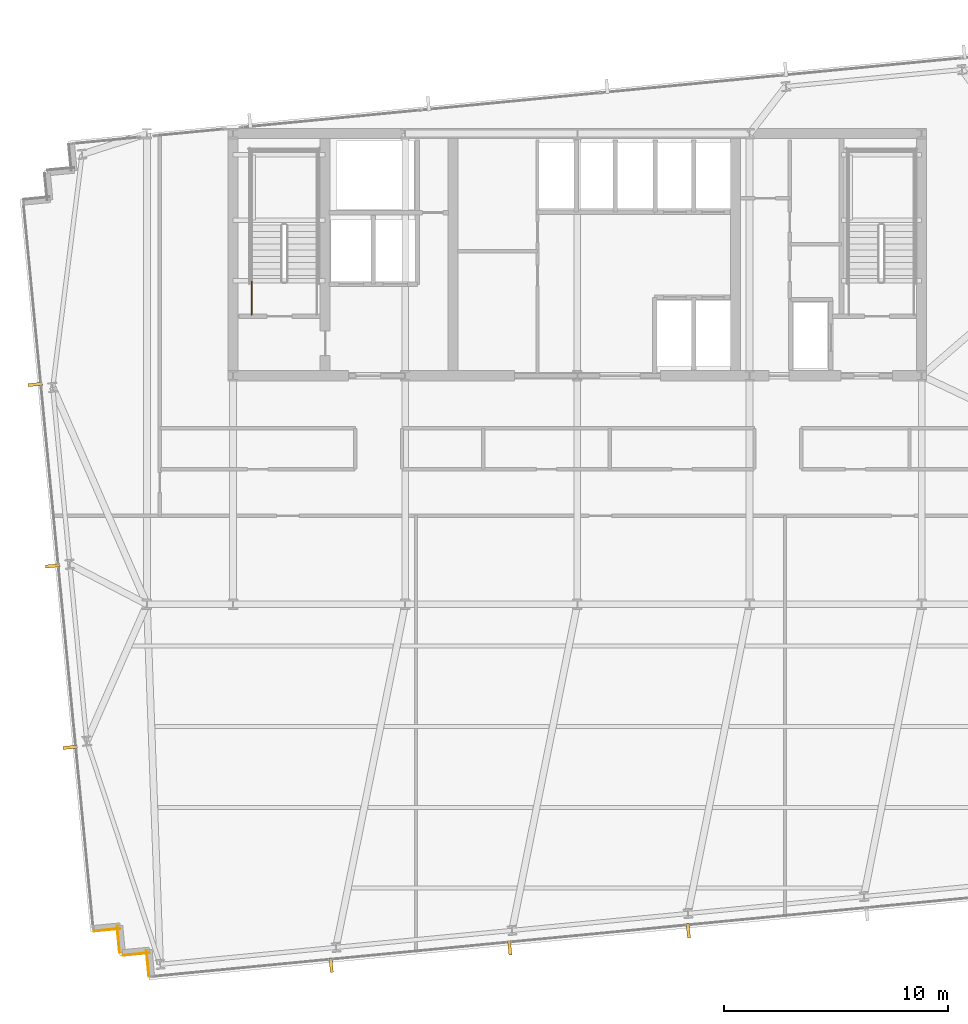
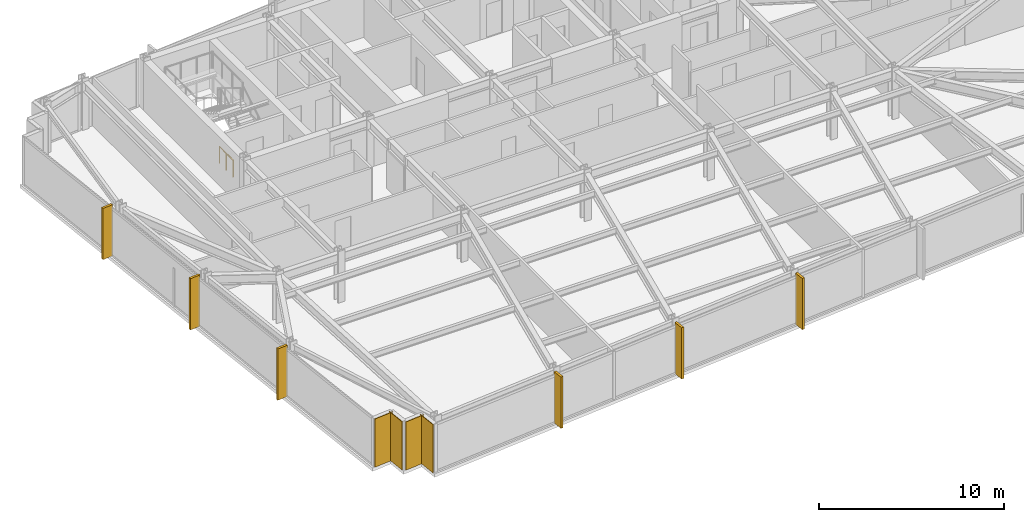
# One storey, part 27 of 32: 6 shading devices, 4 coverings, 1 railing.
"""IFC4 building model written with IfcOpenShell, lengths in metres."""

from ifc_helpers import new_model, si_unit, direction, frame, frame_2d, origin, origin_2d, place, context, subcontext, project, spatial, rectangle, circle, extrude, material, layer, layer_set, type_object, element, save


model = new_model("IFC4")

# Units and contexts
model_context = context("Model", 3, precision=1e-05, world=origin(), true_north=direction((0.0, 1.0)))
body_context = subcontext(model_context, "Body", "Model", "MODEL_VIEW")
ifc_project = project(units=[si_unit("LENGTHUNIT", "METRE"), si_unit("AREAUNIT", "SQUARE_METRE"), si_unit("VOLUMEUNIT", "CUBIC_METRE"), si_unit("PLANEANGLEUNIT", "RADIAN"), si_unit("MASSUNIT", "GRAM", prefix="KILO")], contexts=[model_context])

# Site, building, storey
site_placement = place(None, origin())
site = spatial("IfcSite", under=ifc_project, at=site_placement, CompositionType="ELEMENT")
building_placement = place(site_placement, origin())
building = spatial("IfcBuilding", under=site, at=building_placement, Name="Yelkora Congress Tower", CompositionType="ELEMENT")
storey_placement = place(building_placement, frame((0.0, 0.0, 116.89990234375)))
storey = spatial("IfcBuildingStorey", under=building, at=storey_placement, Name="L31", CompositionType="ELEMENT", Elevation=116.89990234375)

# Coverings
ifc_material_1 = material(Name="Anatolian bush-hammered limestone", Category="masonry")
ifc_layer_1 = layer(ifc_material_1, 0.0400390625)
ifc_layer_set_1 = layer_set([ifc_layer_1], Name="Anatolian bush-hammered limestone")
covering_type = type_object("IfcCoveringType", Name="COV-CLAD-SPANDREL-40", PredefinedType="CLADDING", material=ifc_layer_set_1)
covering_1_placement = place(storey_placement, frame((19.29248046875, 8.58447265625, 0.0), z_axis=(0.0, 0.0, 1.0), x_axis=(-0.095836473879, 0.995397091755, 0.0)))
element("IfcCovering", 1, at=covering_1_placement, inside=storey, type_object=covering_type, Name="L31 Anatolian Limestone Cladding EW-L31-SR01", PredefinedType="CLADDING", context=body_context, shape_type="SweptSolid", body=[
    extrude(rectangle(XDim=1.199951171875, YDim=0.0400390625, at=frame_2d((0.60009765625, 0.0))), origin(), (0.0, 0.0, 1.0), 3.18017578125),
])
for number, where, z_axis, x_axis, name in (
    (2, (19.32470703125, 9.657470703125, 0.0), (0.0, 0.0, 1.0), (-0.995398960025, -0.095817067274, 0.0), "L31 Anatolian Limestone Cladding EW-L31-SR02"),
    (3, (17.98291015625, 9.663818359375, 0.0), (0.0, 0.0, 1.0), (-0.095817067274, 0.995398960025, 0.0), "L31 Anatolian Limestone Cladding EW-L31-SR03"),
):
    element("IfcCovering", number, at=place(storey_placement, frame(where, z_axis=z_axis, x_axis=x_axis)), inside=storey, type_object=covering_type, Name=name, PredefinedType="CLADDING", context=body_context, shape_type="SweptSolid", body=[
        extrude(rectangle(XDim=1.2001953125, YDim=0.0400390625, at=frame_2d((0.60009765625, 0.0))), origin(), (0.0, 0.0, 1.0), 3.18017578125),
    ])
covering_2_placement = place(storey_placement, frame((18.01513671875, 10.737060546875, 0.0), z_axis=(0.0, 0.0, 1.0), x_axis=(-0.995397091755, -0.095836473879, 0.0)))
element("IfcCovering", 4, at=covering_2_placement, inside=storey, type_object=covering_type, Name="L31 Anatolian Limestone Cladding EW-L31-SR04", PredefinedType="CLADDING", context=body_context, shape_type="SweptSolid", body=[
    extrude(rectangle(XDim=1.199951171875, YDim=0.0400390625, at=frame_2d((0.60009765625, 0.0))), origin(), (0.0, 0.0, 1.0), 3.18017578125),
])

# Railing
ifc_material_2 = material(Name="Painted galvanised steel stair well guard with vertical infill", Category="steel")
ifc_layer_2 = layer(ifc_material_2, 0.06005859375)
ifc_layer_set_2 = layer_set([ifc_layer_2], Name="Painted galvanised steel stair well guard with vertical infill")
railing_type = type_object("IfcRailingType", Name="RAIL-STAIR-GUARD-1120", PredefinedType="GUARDRAIL", material=ifc_layer_set_2)
railing_placement = place(storey_placement, frame((23.8701171875, 38.1201171875, 0.0)))
element("IfcRailing", 5, at=railing_placement, inside=storey, type_object=railing_type, Name="ST-01 L31 Stair Well Guardrail 9", PredefinedType="GUARDRAIL", context=body_context, shape_type="SweptSolid", body=[
    extrude(circle(Radius=0.02392578125, at=origin_2d()), frame((0.0, 0.0, 1.09619140625), z_axis=(0.0, 1.0, 0.0), x_axis=(-1.0, 0.0, 0.0)), (0.0, 0.0, 1.0), 1.47998046875),
    extrude(circle(Radius=0.02099609375, at=origin_2d()), origin(), (0.0, 0.0, 1.0), 1.072021484375),
    extrude(circle(Radius=0.02099609375, at=origin_2d()), frame((0.0, 0.739990234375, 0.0)), (0.0, 0.0, 1.0), 1.072021484375),
    extrude(circle(Radius=0.02099609375, at=origin_2d()), frame((0.0, 1.47998046875, 0.0)), (0.0, 0.0, 1.0), 1.072021484375),
])

# Shading devices
ifc_material_3 = material(Name="Champagne anodised aluminium", Category="aluminium")
ifc_layer_3 = layer(ifc_material_3, 3.39990234375)
ifc_layer_set_3 = layer_set([ifc_layer_3], Name="Champagne anodised aluminium")
shading_device_type = type_object("IfcShadingDeviceType", Name="SHD-FIN-ALU-640", PredefinedType="USERDEFINED", material=ifc_layer_set_3)
for number, where, z_axis, x_axis, name in (
    (6, (15.769775390625, 18.823974609375, -0.02978515625), (0.0, 0.0, 1.0), (-0.09584575252, 0.995396198367, 0.0), "L31 Vertical Anodised Solar Fin 5-1"),
    (7, (14.990478515625, 26.91650390625, -0.02978515625), (0.0, 0.0, 1.0), (-0.09584575252, 0.995396198367, 0.0), "L31 Vertical Anodised Solar Fin 5-2"),
    (8, (14.211181640625, 35.00927734375, -0.02978515625), (0.0, 0.0, 1.0), (-0.09584575252, 0.995396198367, 0.0), "L31 Vertical Anodised Solar Fin 5-3"),
    (9, (43.349609375, 10.639892578125, -0.02978515625), (0.0, 0.0, 1.0), (-0.995396198367, -0.09584575252, 0.0), "L31 Vertical Anodised Solar Fin 20-4"),
    (10, (35.3837890625, 9.872802734375, -0.02978515625), (0.0, 0.0, 1.0), (-0.995396198367, -0.09584575252, 0.0), "L31 Vertical Anodised Solar Fin 20-5"),
    (11, (27.417724609375, 9.105712890625, -0.02978515625), (0.0, 0.0, 1.0), (-0.995396198367, -0.09584575252, 0.0), "L31 Vertical Anodised Solar Fin 20-6"),
):
    element("IfcShadingDevice", number, at=place(storey_placement, frame(where, z_axis=z_axis, x_axis=x_axis)), inside=storey, type_object=shading_device_type, Name=name, ObjectType="FIN", PredefinedType="USERDEFINED", context=body_context, shape_type="SweptSolid", body=[
        extrude(rectangle(XDim=0.139892578125, YDim=0.639892578125, at=origin_2d()), origin(), (0.0, 0.0, 1.0), 3.3798828125),
    ])

save(model, "model.ifc")
